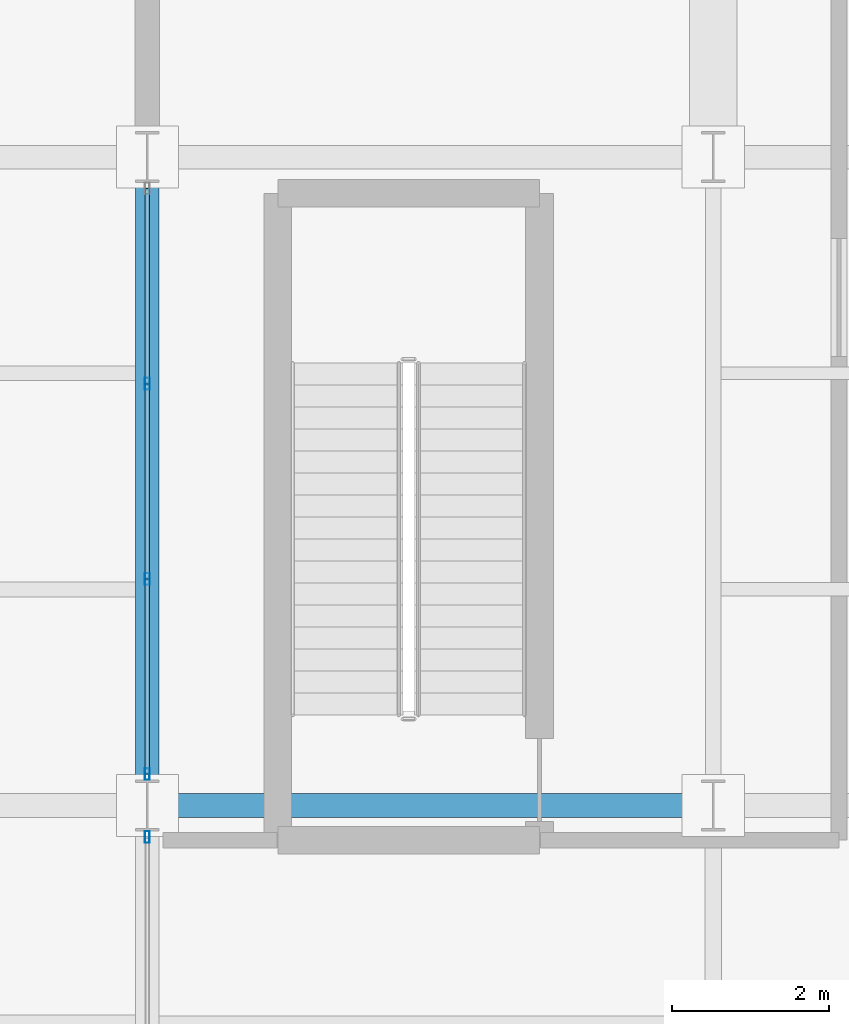
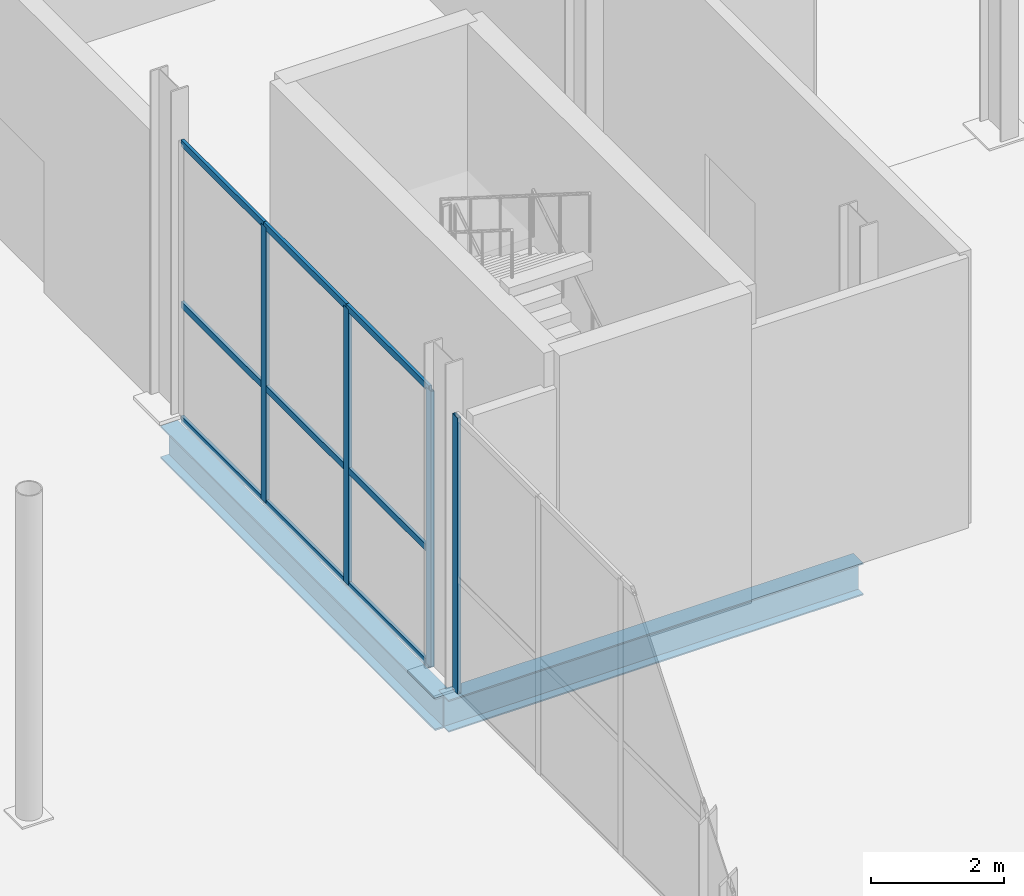
# One storey, part 33 of 144: 13 members, 2 beams, 2 elements without a shape of their own.
"""IFC4 building model written with IfcOpenShell, lengths in metres."""

from ifc_helpers import new_model, si_unit, direction, frame, origin, origin_2d, place, context, subcontext, project, spatial, hollow_rectangle, i_section, extrude, material, layer, layer_set, material_profile, profile_set, type_object, element, aggregate, save


model = new_model("IFC4")

# Units and contexts
model_context = context("Model", 3, precision=1e-05, world=origin(), true_north=direction((0.0, 1.0)))
body_context = subcontext(model_context, "Body", "Model", "MODEL_VIEW")
ifc_project = project(units=[si_unit("LENGTHUNIT", "METRE"), si_unit("AREAUNIT", "SQUARE_METRE"), si_unit("VOLUMEUNIT", "CUBIC_METRE"), si_unit("PLANEANGLEUNIT", "RADIAN"), si_unit("MASSUNIT", "GRAM", prefix="KILO")], contexts=[model_context])

# Site, building, storey
site_placement = place(None, origin())
site = spatial("IfcSite", under=ifc_project, at=site_placement, CompositionType="ELEMENT")
building_placement = place(site_placement, origin())
building = spatial("IfcBuilding", under=site, at=building_placement, Name="Sundgate Opera House", CompositionType="ELEMENT")
storey_placement = place(building_placement, origin())
storey = spatial("IfcBuildingStorey", under=building, at=storey_placement, Name="L00", CompositionType="ELEMENT", Elevation=0.0)

# Beams
ifc_material_1 = material(Name="Steel S355J2", Category="steel")
ifc_material_profile_1 = material_profile(ifc_material_1, i_section(OverallWidth=0.300048828125, OverallDepth=0.590087890625, WebThickness=0.012939453125, FlangeThickness=0.02490234375, at=origin_2d()), Name="HEA 600")
ifc_profile_set_1 = profile_set([ifc_material_profile_1], Name="Steel S355J2")
beam_type_1 = type_object("IfcBeamType", Name="BM-GR-HEA600", PredefinedType="BEAM", material=ifc_profile_set_1)
beam_1_placement = place(storey_placement, frame((95.39990234375, 24.75, -0.614990234375), z_axis=(1.0, 0.0, 0.0), x_axis=(0.0, 1.0, 0.0)))
element("IfcBeam", 1, at=beam_1_placement, inside=storey, type_object=beam_type_1, Name="L00 Primary E-W Girder B0374", PredefinedType="BEAM", context=body_context, shape_type="SweptSolid", body=[
    extrude(i_section(OverallWidth=0.300048828125, OverallDepth=0.590087890625, WebThickness=0.012939453125, FlangeThickness=0.02490234375, at=origin_2d()), origin(), (0.0, 0.0, 1.0), 7.2001953125),
])
ifc_material_2 = material(Name="Steel S355J2", Category="steel")
ifc_material_profile_2 = material_profile(ifc_material_2, i_section(OverallWidth=0.300048828125, OverallDepth=0.60009765625, WebThickness=0.015380859375, FlangeThickness=0.030029296875, at=origin_2d()), Name="HEB 600")
ifc_profile_set_2 = profile_set([ifc_material_profile_2], Name="Steel S355J2")
beam_type_2 = type_object("IfcBeamType", Name="BM-GR-HEB600", PredefinedType="BEAM", material=ifc_profile_set_2)
beam_2_placement = place(storey_placement, frame((95.39990234375, 24.75, -0.6201171875), z_axis=(0.0, 1.0, 0.0), x_axis=(-1.0, 0.0, 0.0)))
element("IfcBeam", 2, at=beam_2_placement, inside=storey, type_object=beam_type_2, Name="L00 Primary N-S Girder B0193", PredefinedType="BEAM", context=body_context, shape_type="SweptSolid", body=[
    extrude(i_section(OverallWidth=0.300048828125, OverallDepth=0.60009765625, WebThickness=0.015380859375, FlangeThickness=0.030029296875, at=origin_2d()), origin(), (0.0, 0.0, 1.0), 8.25),
])

# Curtain wall, member
ifc_material_3 = material(Name="Anodized aluminium and low-iron glass", Category="aluminium")
ifc_layer = layer(ifc_material_3, 0.14990234375)
ifc_layer_set = layer_set([ifc_layer], Name="Anodized aluminium and low-iron glass")
curtain_wall_type = type_object("IfcCurtainWallType", Name="CW-WORKSHOP-DARK", PredefinedType="NOTDEFINED", material=ifc_layer_set)
curtain_wall_1_placement = place(storey_placement, origin())
curtain_wall_1 = element("IfcCurtainWall", 3, at=curtain_wall_1_placement, inside=storey, type_object=curtain_wall_type, Name="L00 Curtain Wall CW133", PredefinedType="NOTDEFINED")
ifc_material_4 = material(Name="Anodized aluminium EN AW-6063", Category="aluminium")
ifc_material_profile_3 = material_profile(ifc_material_4, hollow_rectangle(XDim=0.06005859375, YDim=0.14990234375, WallThickness=0.00390625, at=origin_2d()), Name="CWM 150x60x4")
ifc_profile_set_3 = profile_set([ifc_material_profile_3], Name="Anodized aluminium EN AW-6063")
member_type_1 = type_object("IfcMemberType", Name="CWM-ALU-150x60", PredefinedType="MULLION", material=ifc_profile_set_3)
member_1_placement = place(storey_placement, frame((95.39990234375, 24.35009765625, 0.0), z_axis=(0.0, 0.0, 1.0), x_axis=(1.0, 0.0, 0.0)))
member_1 = element("IfcMember", 4, at=member_1_placement, type_object=member_type_1, Name="CW133 Mullion 1", PredefinedType="MULLION", context=body_context, shape_type="SweptSolid", body=[
    extrude(hollow_rectangle(XDim=0.06005859375, YDim=0.14990234375, WallThickness=0.00390625, at=origin_2d()), origin(), (0.0, 0.0, 1.0), 5.06494140625),
])
aggregate(curtain_wall_1, [member_1])

# Curtain wall, members
curtain_wall_2_placement = place(storey_placement, origin())
curtain_wall_2 = element("IfcCurtainWall", 5, at=curtain_wall_2_placement, inside=storey, type_object=curtain_wall_type, Name="L00 Curtain Wall CW134", PredefinedType="NOTDEFINED")
member_2_placement = place(storey_placement, frame((95.39990234375, 30.11669921875, 0.0), z_axis=(0.0, 0.0, 1.0), x_axis=(1.0, 0.0, 0.0)))
member_2 = element("IfcMember", 6, at=member_2_placement, type_object=member_type_1, Name="CW134 Mullion 2", PredefinedType="MULLION", context=body_context, shape_type="SweptSolid", body=[
    extrude(hollow_rectangle(XDim=0.06005859375, YDim=0.14990234375, WallThickness=0.00390625, at=origin_2d()), origin(), (0.0, 0.0, 1.0), 5.06494140625),
])
member_3_placement = place(storey_placement, frame((95.39990234375, 27.63330078125, 0.0), z_axis=(0.0, 0.0, 1.0), x_axis=(1.0, 0.0, 0.0)))
member_3 = element("IfcMember", 7, at=member_3_placement, type_object=member_type_1, Name="CW134 Mullion 3", PredefinedType="MULLION", context=body_context, shape_type="SweptSolid", body=[
    extrude(hollow_rectangle(XDim=0.06005859375, YDim=0.14990234375, WallThickness=0.00390625, at=origin_2d()), origin(), (0.0, 0.0, 1.0), 5.06494140625),
])
member_4_placement = place(storey_placement, frame((95.39990234375, 25.14990234375, 0.0), z_axis=(0.0, 0.0, 1.0), x_axis=(1.0, 0.0, 0.0)))
member_4 = element("IfcMember", 8, at=member_4_placement, type_object=member_type_1, Name="CW134 Mullion 4", PredefinedType="MULLION", context=body_context, shape_type="SweptSolid", body=[
    extrude(hollow_rectangle(XDim=0.06005859375, YDim=0.14990234375, WallThickness=0.00390625, at=origin_2d()), origin(), (0.0, 0.0, 1.0), 5.06494140625),
])
ifc_material_5 = material(Name="Anodized aluminium EN AW-6063", Category="aluminium")
ifc_material_profile_4 = material_profile(ifc_material_5, hollow_rectangle(XDim=0.054931640625, YDim=0.1201171875, WallThickness=0.00390625, at=origin_2d()), Name="CWT 120x55x4")
ifc_profile_set_4 = profile_set([ifc_material_profile_4], Name="Anodized aluminium EN AW-6063")
member_type_2 = type_object("IfcMemberType", Name="CWT-ALU-120x55", PredefinedType="USERDEFINED", material=ifc_profile_set_4)
member_5_placement = place(storey_placement, frame((95.39990234375, 32.60009765625, 0.0), z_axis=(0.0, -1.0, 0.0), x_axis=(1.0, 0.0, 0.0)))
member_5 = element("IfcMember", 9, at=member_5_placement, type_object=member_type_2, Name="CW134 Transom 1", ObjectType="TRANSOM", PredefinedType="USERDEFINED", context=body_context, shape_type="SweptSolid", body=[
    extrude(hollow_rectangle(XDim=0.054931640625, YDim=0.1201171875, WallThickness=0.00390625, at=origin_2d()), origin(), (0.0, 0.0, 1.0), 2.4833984375),
])
member_6_placement = place(storey_placement, frame((95.39990234375, 32.60009765625, 2.10009765625), z_axis=(0.0, -1.0, 0.0), x_axis=(1.0, 0.0, 0.0)))
member_6 = element("IfcMember", 10, at=member_6_placement, type_object=member_type_2, Name="CW134 Transom 2", ObjectType="TRANSOM", PredefinedType="USERDEFINED", context=body_context, shape_type="SweptSolid", body=[
    extrude(hollow_rectangle(XDim=0.054931640625, YDim=0.1201171875, WallThickness=0.00390625, at=origin_2d()), origin(), (0.0, 0.0, 1.0), 2.4833984375),
])
member_7_placement = place(storey_placement, frame((95.39990234375, 32.60009765625, 5.06494140625), z_axis=(0.0, -1.0, 0.0), x_axis=(1.0, 0.0, 0.0)))
member_7 = element("IfcMember", 11, at=member_7_placement, type_object=member_type_2, Name="CW134 Transom 3", ObjectType="TRANSOM", PredefinedType="USERDEFINED", context=body_context, shape_type="SweptSolid", body=[
    extrude(hollow_rectangle(XDim=0.054931640625, YDim=0.1201171875, WallThickness=0.00390625, at=origin_2d()), origin(), (0.0, 0.0, 1.0), 2.4833984375),
])
member_8_placement = place(storey_placement, frame((95.39990234375, 30.11669921875, 0.0), z_axis=(0.0, -1.0, 0.0), x_axis=(1.0, 0.0, 0.0)))
member_8 = element("IfcMember", 12, at=member_8_placement, type_object=member_type_2, Name="CW134 Transom 4", ObjectType="TRANSOM", PredefinedType="USERDEFINED", context=body_context, shape_type="SweptSolid", body=[
    extrude(hollow_rectangle(XDim=0.054931640625, YDim=0.1201171875, WallThickness=0.00390625, at=origin_2d()), origin(), (0.0, 0.0, 1.0), 2.4833984375),
])
member_9_placement = place(storey_placement, frame((95.39990234375, 30.11669921875, 2.10009765625), z_axis=(0.0, -1.0, 0.0), x_axis=(1.0, 0.0, 0.0)))
member_9 = element("IfcMember", 13, at=member_9_placement, type_object=member_type_2, Name="CW134 Transom 5", ObjectType="TRANSOM", PredefinedType="USERDEFINED", context=body_context, shape_type="SweptSolid", body=[
    extrude(hollow_rectangle(XDim=0.054931640625, YDim=0.1201171875, WallThickness=0.00390625, at=origin_2d()), origin(), (0.0, 0.0, 1.0), 2.4833984375),
])
member_10_placement = place(storey_placement, frame((95.39990234375, 30.11669921875, 5.06494140625), z_axis=(0.0, -1.0, 0.0), x_axis=(1.0, 0.0, 0.0)))
member_10 = element("IfcMember", 14, at=member_10_placement, type_object=member_type_2, Name="CW134 Transom 6", ObjectType="TRANSOM", PredefinedType="USERDEFINED", context=body_context, shape_type="SweptSolid", body=[
    extrude(hollow_rectangle(XDim=0.054931640625, YDim=0.1201171875, WallThickness=0.00390625, at=origin_2d()), origin(), (0.0, 0.0, 1.0), 2.4833984375),
])
member_11_placement = place(storey_placement, frame((95.39990234375, 27.63330078125, 0.0), z_axis=(0.0, -1.0, 0.0), x_axis=(1.0, 0.0, 0.0)))
member_11 = element("IfcMember", 15, at=member_11_placement, type_object=member_type_2, Name="CW134 Transom 7", ObjectType="TRANSOM", PredefinedType="USERDEFINED", context=body_context, shape_type="SweptSolid", body=[
    extrude(hollow_rectangle(XDim=0.054931640625, YDim=0.1201171875, WallThickness=0.00390625, at=origin_2d()), origin(), (0.0, 0.0, 1.0), 2.4833984375),
])
member_12_placement = place(storey_placement, frame((95.39990234375, 27.63330078125, 2.10009765625), z_axis=(0.0, -1.0, 0.0), x_axis=(1.0, 0.0, 0.0)))
member_12 = element("IfcMember", 16, at=member_12_placement, type_object=member_type_2, Name="CW134 Transom 8", ObjectType="TRANSOM", PredefinedType="USERDEFINED", context=body_context, shape_type="SweptSolid", body=[
    extrude(hollow_rectangle(XDim=0.054931640625, YDim=0.1201171875, WallThickness=0.00390625, at=origin_2d()), origin(), (0.0, 0.0, 1.0), 2.4833984375),
])
member_13_placement = place(storey_placement, frame((95.39990234375, 27.63330078125, 5.06494140625), z_axis=(0.0, -1.0, 0.0), x_axis=(1.0, 0.0, 0.0)))
member_13 = element("IfcMember", 17, at=member_13_placement, type_object=member_type_2, Name="CW134 Transom 9", ObjectType="TRANSOM", PredefinedType="USERDEFINED", context=body_context, shape_type="SweptSolid", body=[
    extrude(hollow_rectangle(XDim=0.054931640625, YDim=0.1201171875, WallThickness=0.00390625, at=origin_2d()), origin(), (0.0, 0.0, 1.0), 2.4833984375),
])
aggregate(curtain_wall_2, [member_2, member_3, member_4, member_5, member_6, member_7, member_8, member_9, member_10, member_11, member_12, member_13])

save(model, "model.ifc")
